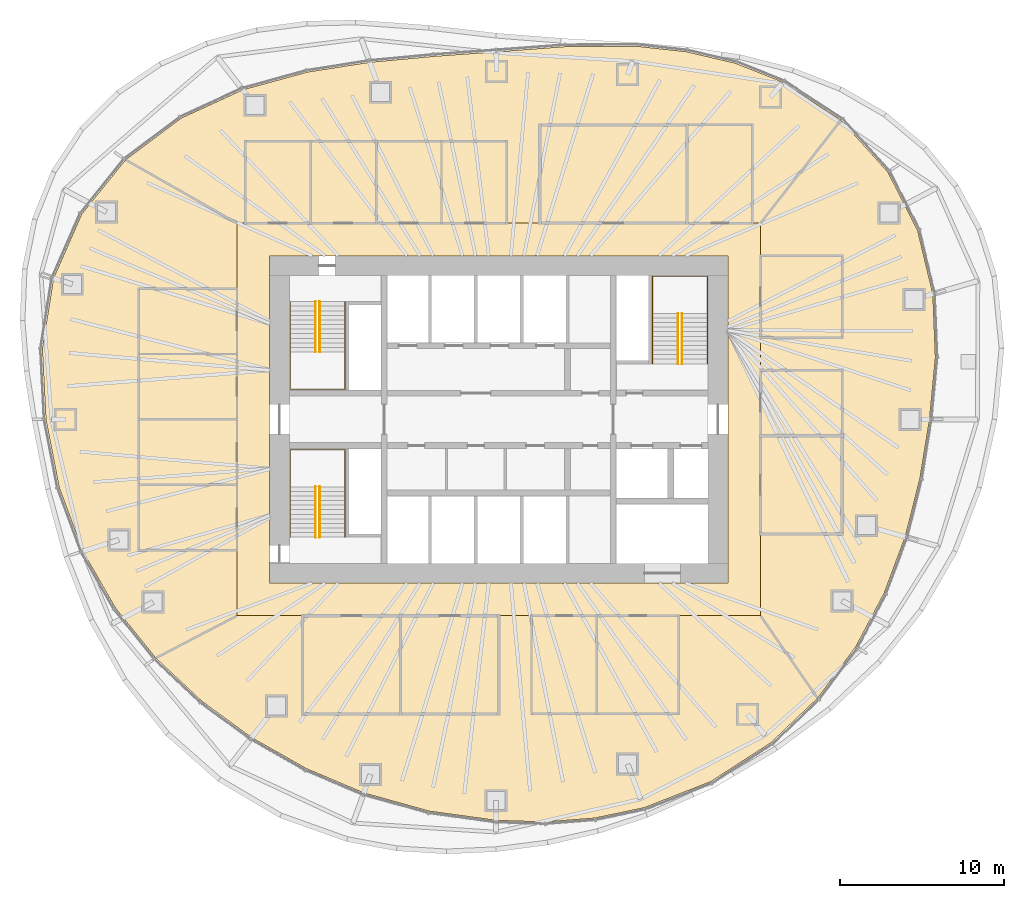
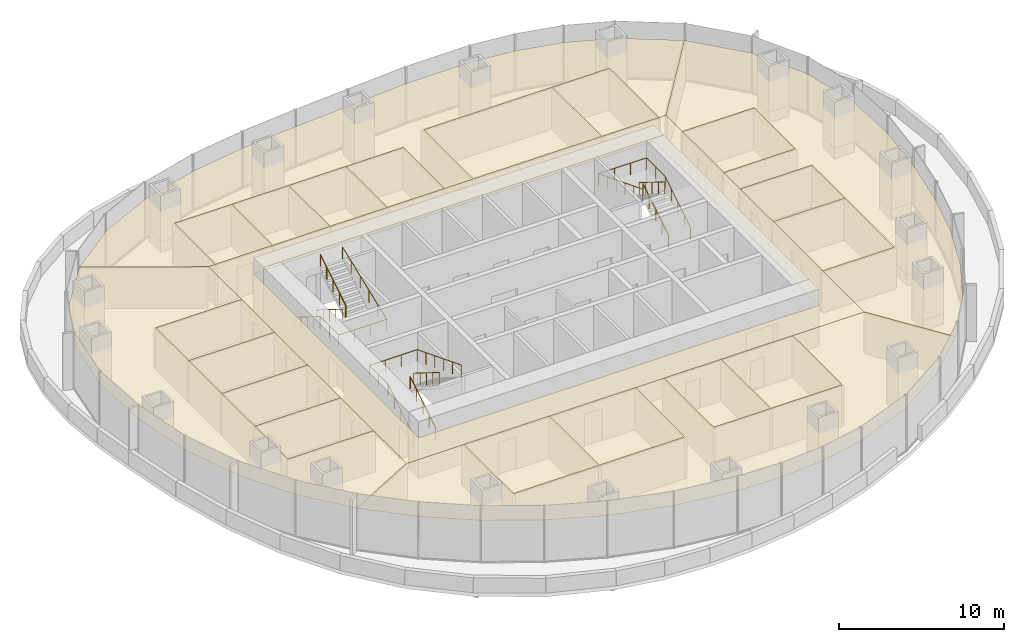
# One storey, part 12 of 12: 22 coverings, 9 railings.
"""IFC4 building model written with IfcOpenShell, lengths in metres."""

from ifc_helpers import new_model, si_unit, direction, frame, origin, origin_2d, place, context, subcontext, project, spatial, polyline, circle, outline, extrude, material, layer, layer_set, type_object, element, save


model = new_model("IFC4")

# Units and contexts
model_context = context("Model", 3, precision=1e-05, world=origin(), true_north=direction((0.0, 1.0)))
body_context = subcontext(model_context, "Body", "Model", "MODEL_VIEW")
ifc_project = project(units=[si_unit("LENGTHUNIT", "METRE"), si_unit("AREAUNIT", "SQUARE_METRE"), si_unit("VOLUMEUNIT", "CUBIC_METRE"), si_unit("PLANEANGLEUNIT", "RADIAN"), si_unit("MASSUNIT", "GRAM", prefix="KILO")], contexts=[model_context])

# Site, building, storey
site_placement = place(None, origin())
site = spatial("IfcSite", under=ifc_project, at=site_placement, CompositionType="ELEMENT")
building_placement = place(site_placement, origin())
building = spatial("IfcBuilding", under=site, at=building_placement, Name="Ghaith Harvest Tower", CompositionType="ELEMENT")
storey_placement = place(building_placement, frame((0.0, 0.0, 194.800048828125)))
storey = spatial("IfcBuildingStorey", under=building, at=storey_placement, Name="L42", CompositionType="ELEMENT", Elevation=194.800048828125)

# Coverings
ifc_material_1 = material(Name="Mineral fibre ceiling tile", Category="gypsum")
ifc_layer = layer(ifc_material_1, 0.02001953125)
ifc_layer_set = layer_set([ifc_layer], Name="CEILING C1")
covering_type = type_object("IfcCoveringType", Name="CEILING C1", PredefinedType="CEILING", material=ifc_layer_set)
covering_1_placement = place(storey_placement, frame((0.0, 0.0, 3.0)))
element("IfcCovering", 1, at=covering_1_placement, inside=storey, type_object=covering_type, Name="Ceiling L42-01", PredefinedType="CEILING", context=body_context, shape_type="SweptSolid", body=[
    extrude(outline(polyline([(-15.5, 12.0), (-11.5, 12.0), (-11.5, 17.0), (-15.5, 17.0), (-15.5, 12.0)])), origin(), (0.0, 0.0, 1.0), 0.02001953125),
])
covering_2_placement = place(storey_placement, frame((0.0, 0.0, 3.0)))
element("IfcCovering", 2, at=covering_2_placement, inside=storey, type_object=covering_type, Name="Ceiling L42-02", PredefinedType="CEILING", context=body_context, shape_type="SweptSolid", body=[
    extrude(outline(polyline([(-11.5, 12.0), (-7.5, 12.0), (-7.5, 17.0), (-11.5, 17.0), (-11.5, 12.0)])), origin(), (0.0, 0.0, 1.0), 0.02001953125),
])
covering_3_placement = place(storey_placement, frame((0.0, 0.0, 3.0)))
element("IfcCovering", 3, at=covering_3_placement, inside=storey, type_object=covering_type, Name="Ceiling L42-03", PredefinedType="CEILING", context=body_context, shape_type="SweptSolid", body=[
    extrude(outline(polyline([(-7.5, 12.0), (-3.5, 12.0), (-3.5, 17.0), (-7.5, 17.0), (-7.5, 12.0)])), origin(), (0.0, 0.0, 1.0), 0.02001953125),
])
covering_4_placement = place(storey_placement, frame((0.0, 0.0, 3.0)))
element("IfcCovering", 4, at=covering_4_placement, inside=storey, type_object=covering_type, Name="Ceiling L42-04", PredefinedType="CEILING", context=body_context, shape_type="SweptSolid", body=[
    extrude(outline(polyline([(-3.5, 12.0), (0.5, 12.0), (0.5, 17.0), (-3.5, 17.0), (-3.5, 12.0)])), origin(), (0.0, 0.0, 1.0), 0.02001953125),
])
covering_5_placement = place(storey_placement, frame((0.0, 0.0, 3.0)))
element("IfcCovering", 5, at=covering_5_placement, inside=storey, type_object=covering_type, Name="Ceiling L42-05", PredefinedType="CEILING", context=body_context, shape_type="SweptSolid", body=[
    extrude(outline(polyline([(2.5, 12.0), (11.5, 12.0), (11.5, 18.0), (2.5, 18.0), (2.5, 12.0)])), origin(), (0.0, 0.0, 1.0), 0.02001953125),
])
covering_6_placement = place(storey_placement, frame((0.0, 0.0, 3.0)))
element("IfcCovering", 6, at=covering_6_placement, inside=storey, type_object=covering_type, Name="Ceiling L42-06", PredefinedType="CEILING", context=body_context, shape_type="SweptSolid", body=[
    extrude(outline(polyline([(11.5, 12.0), (15.5, 12.0), (15.5, 18.0), (11.5, 18.0), (11.5, 12.0)])), origin(), (0.0, 0.0, 1.0), 0.02001953125),
])
covering_7_placement = place(storey_placement, frame((0.0, 0.0, 3.0)))
element("IfcCovering", 7, at=covering_7_placement, inside=storey, type_object=covering_type, Name="Ceiling L42-07", PredefinedType="CEILING", context=body_context, shape_type="SweptSolid", body=[
    extrude(outline(polyline([(-12.0, -18.0), (-6.0, -18.0), (-6.0, -12.0), (-12.0, -12.0), (-12.0, -18.0)])), origin(), (0.0, 0.0, 1.0), 0.02001953125),
])
covering_8_placement = place(storey_placement, frame((0.0, 0.0, 3.0)))
element("IfcCovering", 8, at=covering_8_placement, inside=storey, type_object=covering_type, Name="Ceiling L42-08", PredefinedType="CEILING", context=body_context, shape_type="SweptSolid", body=[
    extrude(outline(polyline([(-6.0, -18.0), (0.0, -18.0), (0.0, -12.0), (-6.0, -12.0), (-6.0, -18.0)])), origin(), (0.0, 0.0, 1.0), 0.02001953125),
])
covering_9_placement = place(storey_placement, frame((0.0, 0.0, 3.0)))
element("IfcCovering", 9, at=covering_9_placement, inside=storey, type_object=covering_type, Name="Ceiling L42-09", PredefinedType="CEILING", context=body_context, shape_type="SweptSolid", body=[
    extrude(outline(polyline([(2.0, -18.0), (6.0, -18.0), (6.0, -12.0), (2.0, -12.0), (2.0, -18.0)])), origin(), (0.0, 0.0, 1.0), 0.02001953125),
])
covering_10_placement = place(storey_placement, frame((0.0, 0.0, 3.0)))
element("IfcCovering", 10, at=covering_10_placement, inside=storey, type_object=covering_type, Name="Ceiling L42-10", PredefinedType="CEILING", context=body_context, shape_type="SweptSolid", body=[
    extrude(outline(polyline([(6.0, -18.0), (11.0, -18.0), (11.0, -12.0), (6.0, -12.0), (6.0, -18.0)])), origin(), (0.0, 0.0, 1.0), 0.02001953125),
])
covering_11_placement = place(storey_placement, frame((0.0, 0.0, 3.0)))
element("IfcCovering", 11, at=covering_11_placement, inside=storey, type_object=covering_type, Name="Ceiling L42-11", PredefinedType="CEILING", context=body_context, shape_type="SweptSolid", body=[
    extrude(outline(polyline([(16.0, -7.0), (21.0, -7.0), (21.0, -1.0), (16.0, -1.0), (16.0, -7.0)])), origin(), (0.0, 0.0, 1.0), 0.02001953125),
])
covering_12_placement = place(storey_placement, frame((0.0, 0.0, 3.0)))
element("IfcCovering", 12, at=covering_12_placement, inside=storey, type_object=covering_type, Name="Ceiling L42-12", PredefinedType="CEILING", context=body_context, shape_type="SweptSolid", body=[
    extrude(outline(polyline([(16.0, -1.0), (21.0, -1.0), (21.0, 3.0), (16.0, 3.0), (16.0, -1.0)])), origin(), (0.0, 0.0, 1.0), 0.02001953125),
])
covering_13_placement = place(storey_placement, frame((0.0, 0.0, 3.0)))
element("IfcCovering", 13, at=covering_13_placement, inside=storey, type_object=covering_type, Name="Ceiling L42-13", PredefinedType="CEILING", context=body_context, shape_type="SweptSolid", body=[
    extrude(outline(polyline([(-22.0, -8.0), (-16.0, -8.0), (-16.0, -4.0), (-22.0, -4.0), (-22.0, -8.0)])), origin(), (0.0, 0.0, 1.0), 0.02001953125),
])
covering_14_placement = place(storey_placement, frame((0.0, 0.0, 3.0)))
element("IfcCovering", 14, at=covering_14_placement, inside=storey, type_object=covering_type, Name="Ceiling L42-14", PredefinedType="CEILING", context=body_context, shape_type="SweptSolid", body=[
    extrude(outline(polyline([(-22.0, -4.0), (-16.0, -4.0), (-16.0, 0.0), (-22.0, 0.0), (-22.0, -4.0)])), origin(), (0.0, 0.0, 1.0), 0.02001953125),
])
covering_15_placement = place(storey_placement, frame((0.0, 0.0, 3.0)))
element("IfcCovering", 15, at=covering_15_placement, inside=storey, type_object=covering_type, Name="Ceiling L42-15", PredefinedType="CEILING", context=body_context, shape_type="SweptSolid", body=[
    extrude(outline(polyline([(-22.0, 0.0), (-16.0, 0.0), (-16.0, 4.0), (-22.0, 4.0), (-22.0, 0.0)])), origin(), (0.0, 0.0, 1.0), 0.02001953125),
])
covering_16_placement = place(storey_placement, frame((0.0, 0.0, 3.0)))
element("IfcCovering", 16, at=covering_16_placement, inside=storey, type_object=covering_type, Name="Ceiling L42-16", PredefinedType="CEILING", context=body_context, shape_type="SweptSolid", body=[
    extrude(outline(polyline([(-22.0, 4.0), (-16.0, 4.0), (-16.0, 8.0), (-22.0, 8.0), (-22.0, 4.0)])), origin(), (0.0, 0.0, 1.0), 0.02001953125),
])
covering_17_placement = place(storey_placement, frame((0.0, 0.0, 3.0)))
element("IfcCovering", 17, at=covering_17_placement, inside=storey, type_object=covering_type, Name="Ceiling L42-17", PredefinedType="CEILING", context=body_context, shape_type="SweptSolid", body=[
    extrude(outline(polyline([(16.0, 5.0), (21.0, 5.0), (21.0, 10.0), (16.0, 10.0), (16.0, 5.0)])), origin(), (0.0, 0.0, 1.0), 0.02001953125),
])
covering_18_placement = place(storey_placement, frame((0.0, 0.0, 3.0)))
element("IfcCovering", 18, at=covering_18_placement, inside=storey, type_object=covering_type, Name="Ceiling L42-C1", PredefinedType="CEILING", context=body_context, shape_type="SweptSolid", body=[
    extrude(outline(polyline([(-16.0, 12.0), (16.0, 12.0), (16.0, -12.0), (-16.0, -12.0), (-16.0, 12.0)]), holes=[polyline([(-14.0, 10.0), (-14.0, -10.0), (14.0, -10.0), (14.0, 10.0), (-14.0, 10.0)])]), origin(), (0.0, 0.0, 1.0), 0.02001953125),
])
covering_19_placement = place(storey_placement, frame((0.0, 0.0, 3.0)))
element("IfcCovering", 19, at=covering_19_placement, inside=storey, type_object=covering_type, Name="Ceiling L42-N1", PredefinedType="CEILING", context=body_context, shape_type="SweptSolid", body=[
    extrude(outline(polyline([(-19.408203125, 18.41650390625), (-15.6474609375, 20.147705078125), (-11.694580078125, 21.2314453125), (-7.8837890625, 21.827880859375), (-3.963134765625, 22.192138671875), (-0.15380859375, 22.470458984375), (4.03857421875, 22.78125), (8.522216796875, 22.796875), (11.47265625, 22.47265625), (14.460693359375, 21.771484375), (17.382080078125, 20.612548828125), (20.923095703125, 18.295166015625), (16.0, 12.0), (15.5, 12.0), (15.5, 18.0), (2.5, 18.0), (2.5, 12.0), (0.5, 12.0), (0.5, 17.0), (-15.5, 17.0), (-15.5, 12.0), (-16.0, 12.0), (-22.809814453125, 15.87109375), (-19.408203125, 18.41650390625)])), origin(), (0.0, 0.0, 1.0), 0.02001953125),
])
covering_20_placement = place(storey_placement, frame((0.0, 0.0, 3.0)))
element("IfcCovering", 20, at=covering_20_placement, inside=storey, type_object=covering_type, Name="Ceiling L42-E1", PredefinedType="CEILING", context=body_context, shape_type="SweptSolid", body=[
    extrude(outline(polyline([(23.77294921875, 15.12939453125), (25.597900390625, 11.55615234375), (26.531005859375, 7.668212890625), (26.685791015625, 3.779052734375), (26.324951171875, 0.0), (25.734375, -3.644287109375), (24.840576171875, -7.179443359375), (23.548828125, -10.631103515625), (21.821533203125, -13.887451171875), (19.48388671875, -17.036865234375), (16.0, -12.0), (16.0, -7.0), (21.0, -7.0), (21.0, 3.0), (16.0, 3.0), (16.0, 5.0), (21.0, 5.0), (21.0, 10.0), (16.0, 10.0), (16.0, 12.0), (20.923095703125, 18.295166015625), (23.77294921875, 15.12939453125)])), origin(), (0.0, 0.0, 1.0), 0.02001953125),
])
covering_21_placement = place(storey_placement, frame((0.0, 0.0, 3.0)))
element("IfcCovering", 21, at=covering_21_placement, inside=storey, type_object=covering_type, Name="Ceiling L42-S1", PredefinedType="CEILING", context=body_context, shape_type="SweptSolid", body=[
    extrude(outline(polyline([(16.651611328125, -19.746337890625), (12.949462890625, -22.1435546875), (8.8740234375, -23.73779296875), (5.865234375, -24.3662109375), (2.833984375, -24.602294921875), (-0.167724609375, -24.505126953125), (-4.27490234375, -23.9375), (-8.2451171875, -22.82861328125), (-11.75732421875, -21.345703125), (-15.10400390625, -19.447998046875), (-18.15087890625, -17.223388671875), (-20.963134765625, -14.586181640625), (-16.0, -12.0), (-12.0, -12.0), (-12.0, -18.0), (0.0, -18.0), (0.0, -12.0), (2.0, -12.0), (2.0, -18.0), (11.0, -18.0), (11.0, -12.0), (16.0, -12.0), (19.48388671875, -17.036865234375), (16.651611328125, -19.746337890625)])), origin(), (0.0, 0.0, 1.0), 0.02001953125),
])
covering_22_placement = place(storey_placement, frame((0.0, 0.0, 3.0)))
element("IfcCovering", 22, at=covering_22_placement, inside=storey, type_object=covering_type, Name="Ceiling L42-W1", PredefinedType="CEILING", context=body_context, shape_type="SweptSolid", body=[
    extrude(outline(polyline([(-26.86669921875, -4.155517578125), (-27.675048828125, 0.0), (-27.897216796875, 4.314697265625), (-27.211181640625, 8.623779296875), (-25.491943359375, 12.547607421875), (-22.809814453125, 15.87109375), (-16.0, 12.0), (-16.0, 8.0), (-22.0, 8.0), (-22.0, -8.0), (-16.0, -8.0), (-16.0, -12.0), (-20.963134765625, -14.586181640625), (-23.425537109375, -11.530517578125), (-25.424072265625, -8.057373046875), (-26.86669921875, -4.155517578125)])), origin(), (0.0, 0.0, 1.0), 0.02001953125),
])

# Railings
ifc_material_2 = material(Name="Steel, black powder-coated", Category="steel")
railing_type = type_object("IfcRailingType", Name="HANDRAIL HR1", PredefinedType="HANDRAIL", material=ifc_material_2)
railing_1_placement = place(storey_placement, frame((-11.199951171875, 7.199951171875, 0.175048828125)))
element("IfcRailing", 23, at=railing_1_placement, inside=storey, type_object=railing_type, Name="Handrail HR1 stair ST1 L42 flight 1 inner", PredefinedType="HANDRAIL", context=body_context, shape_type="SweptSolid", body=[
    extrude(circle(Radius=0.02392578125, at=origin_2d()), frame((0.0, 0.0, 0.8759765625), z_axis=(0.0, -0.848009633417, 0.529980812513), x_axis=(1.0, 0.0, 0.0)), (0.0, 0.0, 1.0), 3.6318359375),
    extrude(circle(Radius=0.02099609375, at=origin_2d()), origin(), (0.0, 0.0, 1.0), 0.851806640625),
    extrude(circle(Radius=0.02099609375, at=origin_2d()), frame((0.0, -0.77001953125, 0.481201171875)), (0.0, 0.0, 1.0), 0.851806640625),
    extrude(circle(Radius=0.02099609375, at=origin_2d()), frame((0.0, -1.5400390625, 0.96240234375)), (0.0, 0.0, 1.0), 0.851806640625),
    extrude(circle(Radius=0.02099609375, at=origin_2d()), frame((0.0, -2.309814453125, 1.443603515625)), (0.0, 0.0, 1.0), 0.851806640625),
    extrude(circle(Radius=0.02099609375, at=origin_2d()), frame((0.0, -3.079833984375, 1.9248046875)), (0.0, 0.0, 1.0), 0.851806640625),
])
railing_2_placement = place(storey_placement, frame((-10.949951171875, 4.1201171875, 2.27490234375)))
element("IfcRailing", 24, at=railing_2_placement, inside=storey, type_object=railing_type, Name="Handrail HR1 stair ST1 L42 flight 2 inner", PredefinedType="HANDRAIL", context=body_context, shape_type="SweptSolid", body=[
    extrude(circle(Radius=0.02392578125, at=origin_2d()), frame((0.0, 0.0, 0.8759765625), z_axis=(0.0, 0.847979421464, 0.530029150871), x_axis=(-1.0, 0.0, 0.0)), (0.0, 0.0, 1.0), 3.632080078125),
    extrude(circle(Radius=0.02099609375, at=origin_2d()), origin(), (0.0, 0.0, 1.0), 0.851806640625),
    extrude(circle(Radius=0.02099609375, at=origin_2d()), frame((0.0, 0.77001953125, 0.481201171875)), (0.0, 0.0, 1.0), 0.851806640625),
    extrude(circle(Radius=0.02099609375, at=origin_2d()), frame((0.0, 1.5400390625, 0.96240234375)), (0.0, 0.0, 1.0), 0.851806640625),
    extrude(circle(Radius=0.02099609375, at=origin_2d()), frame((0.0, 2.309814453125, 1.44384765625)), (0.0, 0.0, 1.0), 0.851806640625),
    extrude(circle(Radius=0.02099609375, at=origin_2d()), frame((0.0, 3.079833984375, 1.925048828125)), (0.0, 0.0, 1.0), 0.851806640625),
])
railing_3_placement = place(storey_placement, frame((-12.75, 7.199951171875, 0.175048828125)))
element("IfcRailing", 25, at=railing_3_placement, inside=storey, type_object=railing_type, Name="Handrail HR1 stair ST1 L42 wall side", PredefinedType="HANDRAIL", context=body_context, shape_type="SweptSolid", body=[
    extrude(circle(Radius=0.02392578125, at=origin_2d()), frame((0.0, 0.0, 0.8759765625), z_axis=(0.0, -0.848009633417, 0.529980812513), x_axis=(1.0, 0.0, 0.0)), (0.0, 0.0, 1.0), 3.6318359375),
    extrude(circle(Radius=0.02392578125, at=origin_2d()), frame((0.0, -3.079833984375, 2.80078125), z_axis=(0.0, -1.0, 0.0), x_axis=(1.0, 0.0, 0.0)), (0.0, 0.0, 1.0), 2.27001953125),
    extrude(circle(Radius=0.02392578125, at=origin_2d()), frame((0.0, -5.349853515625, 2.80078125), z_axis=(1.0, 0.0, 0.0), x_axis=(0.0, 1.0, 0.0)), (0.0, 0.0, 1.0), 3.35009765625),
    extrude(circle(Radius=0.02392578125, at=origin_2d()), frame((3.35009765625, -5.349853515625, 2.80078125), z_axis=(0.0, 0.930848013298, 0.36540659017), x_axis=(-1.0, 0.0, 0.0)), (0.0, 0.0, 1.0), 5.747314453125),
    extrude(circle(Radius=0.02099609375, at=origin_2d()), origin(), (0.0, 0.0, 1.0), 0.851806640625),
    extrude(circle(Radius=0.02099609375, at=origin_2d()), frame((0.0, -0.77001953125, 0.481201171875)), (0.0, 0.0, 1.0), 0.851806640625),
    extrude(circle(Radius=0.02099609375, at=origin_2d()), frame((0.0, -1.5400390625, 0.96240234375)), (0.0, 0.0, 1.0), 0.851806640625),
    extrude(circle(Radius=0.02099609375, at=origin_2d()), frame((0.0, -2.309814453125, 1.443603515625)), (0.0, 0.0, 1.0), 0.851806640625),
    extrude(circle(Radius=0.02099609375, at=origin_2d()), frame((0.0, -3.079833984375, 1.9248046875)), (0.0, 0.0, 1.0), 0.851806640625),
    extrude(circle(Radius=0.02099609375, at=origin_2d()), frame((0.0, -4.21484375, 1.9248046875)), (0.0, 0.0, 1.0), 0.851806640625),
    extrude(circle(Radius=0.02099609375, at=origin_2d()), frame((0.0, -5.349853515625, 1.9248046875)), (0.0, 0.0, 1.0), 0.851806640625),
    extrude(circle(Radius=0.02099609375, at=origin_2d()), frame((1.11669921875, -5.349853515625, 1.9248046875)), (0.0, 0.0, 1.0), 0.851806640625),
    extrude(circle(Radius=0.02099609375, at=origin_2d()), frame((2.2333984375, -5.349853515625, 1.9248046875)), (0.0, 0.0, 1.0), 0.851806640625),
    extrude(circle(Radius=0.02099609375, at=origin_2d()), frame((3.35009765625, -5.349853515625, 1.9248046875)), (0.0, 0.0, 1.0), 0.851806640625),
    extrude(circle(Radius=0.02099609375, at=origin_2d()), frame((3.35009765625, -4.27978515625, 2.3447265625)), (0.0, 0.0, 1.0), 0.851806640625),
    extrude(circle(Radius=0.02099609375, at=origin_2d()), frame((3.35009765625, -3.2099609375, 2.764892578125)), (0.0, 0.0, 1.0), 0.851806640625),
    extrude(circle(Radius=0.02099609375, at=origin_2d()), frame((3.35009765625, -2.139892578125, 3.184814453125)), (0.0, 0.0, 1.0), 0.851806640625),
    extrude(circle(Radius=0.02099609375, at=origin_2d()), frame((3.35009765625, -1.070068359375, 3.60498046875)), (0.0, 0.0, 1.0), 0.851806640625),
    extrude(circle(Radius=0.02099609375, at=origin_2d()), frame((3.35009765625, 0.0, 4.02490234375)), (0.0, 0.0, 1.0), 0.851806640625),
])
railing_4_placement = place(storey_placement, frame((-11.199951171875, -7.199951171875, 0.175048828125)))
element("IfcRailing", 26, at=railing_4_placement, inside=storey, type_object=railing_type, Name="Handrail HR1 stair ST3 L42 flight 1 inner", PredefinedType="HANDRAIL", context=body_context, shape_type="SweptSolid", body=[
    extrude(circle(Radius=0.02392578125, at=origin_2d()), frame((0.0, 0.0, 0.8759765625), z_axis=(0.0, 0.848009633417, 0.529980812513), x_axis=(-1.0, 0.0, 0.0)), (0.0, 0.0, 1.0), 3.6318359375),
    extrude(circle(Radius=0.02099609375, at=origin_2d()), origin(), (0.0, 0.0, 1.0), 0.851806640625),
    extrude(circle(Radius=0.02099609375, at=origin_2d()), frame((0.0, 0.77001953125, 0.481201171875)), (0.0, 0.0, 1.0), 0.851806640625),
    extrude(circle(Radius=0.02099609375, at=origin_2d()), frame((0.0, 1.5400390625, 0.96240234375)), (0.0, 0.0, 1.0), 0.851806640625),
    extrude(circle(Radius=0.02099609375, at=origin_2d()), frame((0.0, 2.309814453125, 1.443603515625)), (0.0, 0.0, 1.0), 0.851806640625),
    extrude(circle(Radius=0.02099609375, at=origin_2d()), frame((0.0, 3.079833984375, 1.9248046875)), (0.0, 0.0, 1.0), 0.851806640625),
])
railing_5_placement = place(storey_placement, frame((-10.949951171875, -4.1201171875, 2.27490234375)))
element("IfcRailing", 27, at=railing_5_placement, inside=storey, type_object=railing_type, Name="Handrail HR1 stair ST3 L42 flight 2 inner", PredefinedType="HANDRAIL", context=body_context, shape_type="SweptSolid", body=[
    extrude(circle(Radius=0.02392578125, at=origin_2d()), frame((0.0, 0.0, 0.8759765625), z_axis=(0.0, -0.847979421464, 0.530029150871), x_axis=(1.0, 0.0, 0.0)), (0.0, 0.0, 1.0), 3.632080078125),
    extrude(circle(Radius=0.02099609375, at=origin_2d()), origin(), (0.0, 0.0, 1.0), 0.851806640625),
    extrude(circle(Radius=0.02099609375, at=origin_2d()), frame((0.0, -0.77001953125, 0.481201171875)), (0.0, 0.0, 1.0), 0.851806640625),
    extrude(circle(Radius=0.02099609375, at=origin_2d()), frame((0.0, -1.5400390625, 0.96240234375)), (0.0, 0.0, 1.0), 0.851806640625),
    extrude(circle(Radius=0.02099609375, at=origin_2d()), frame((0.0, -2.309814453125, 1.44384765625)), (0.0, 0.0, 1.0), 0.851806640625),
    extrude(circle(Radius=0.02099609375, at=origin_2d()), frame((0.0, -3.079833984375, 1.925048828125)), (0.0, 0.0, 1.0), 0.851806640625),
])
railing_6_placement = place(storey_placement, frame((-12.75, -7.199951171875, 0.175048828125)))
element("IfcRailing", 28, at=railing_6_placement, inside=storey, type_object=railing_type, Name="Handrail HR1 stair ST3 L42 wall side", PredefinedType="HANDRAIL", context=body_context, shape_type="SweptSolid", body=[
    extrude(circle(Radius=0.02392578125, at=origin_2d()), frame((0.0, 0.0, 0.8759765625), z_axis=(0.0, 0.848009633417, 0.529980812513), x_axis=(-1.0, 0.0, 0.0)), (0.0, 0.0, 1.0), 3.6318359375),
    extrude(circle(Radius=0.02392578125, at=origin_2d()), frame((0.0, 3.079833984375, 2.80078125), z_axis=(0.0, 1.0, 0.0), x_axis=(-1.0, 0.0, 0.0)), (0.0, 0.0, 1.0), 2.27001953125),
    extrude(circle(Radius=0.02392578125, at=origin_2d()), frame((0.0, 5.349853515625, 2.80078125), z_axis=(1.0, 0.0, 0.0), x_axis=(0.0, 1.0, 0.0)), (0.0, 0.0, 1.0), 3.35009765625),
    extrude(circle(Radius=0.02392578125, at=origin_2d()), frame((3.35009765625, 5.349853515625, 2.80078125), z_axis=(0.0, -0.930848013298, 0.36540659017), x_axis=(1.0, 0.0, 0.0)), (0.0, 0.0, 1.0), 5.747314453125),
    extrude(circle(Radius=0.02099609375, at=origin_2d()), origin(), (0.0, 0.0, 1.0), 0.851806640625),
    extrude(circle(Radius=0.02099609375, at=origin_2d()), frame((0.0, 0.77001953125, 0.481201171875)), (0.0, 0.0, 1.0), 0.851806640625),
    extrude(circle(Radius=0.02099609375, at=origin_2d()), frame((0.0, 1.5400390625, 0.96240234375)), (0.0, 0.0, 1.0), 0.851806640625),
    extrude(circle(Radius=0.02099609375, at=origin_2d()), frame((0.0, 2.309814453125, 1.443603515625)), (0.0, 0.0, 1.0), 0.851806640625),
    extrude(circle(Radius=0.02099609375, at=origin_2d()), frame((0.0, 3.079833984375, 1.9248046875)), (0.0, 0.0, 1.0), 0.851806640625),
    extrude(circle(Radius=0.02099609375, at=origin_2d()), frame((0.0, 4.21484375, 1.9248046875)), (0.0, 0.0, 1.0), 0.851806640625),
    extrude(circle(Radius=0.02099609375, at=origin_2d()), frame((0.0, 5.349853515625, 1.9248046875)), (0.0, 0.0, 1.0), 0.851806640625),
    extrude(circle(Radius=0.02099609375, at=origin_2d()), frame((1.11669921875, 5.349853515625, 1.9248046875)), (0.0, 0.0, 1.0), 0.851806640625),
    extrude(circle(Radius=0.02099609375, at=origin_2d()), frame((2.2333984375, 5.349853515625, 1.9248046875)), (0.0, 0.0, 1.0), 0.851806640625),
    extrude(circle(Radius=0.02099609375, at=origin_2d()), frame((3.35009765625, 5.349853515625, 1.9248046875)), (0.0, 0.0, 1.0), 0.851806640625),
    extrude(circle(Radius=0.02099609375, at=origin_2d()), frame((3.35009765625, 4.27978515625, 2.3447265625)), (0.0, 0.0, 1.0), 0.851806640625),
    extrude(circle(Radius=0.02099609375, at=origin_2d()), frame((3.35009765625, 3.2099609375, 2.764892578125)), (0.0, 0.0, 1.0), 0.851806640625),
    extrude(circle(Radius=0.02099609375, at=origin_2d()), frame((3.35009765625, 2.139892578125, 3.184814453125)), (0.0, 0.0, 1.0), 0.851806640625),
    extrude(circle(Radius=0.02099609375, at=origin_2d()), frame((3.35009765625, 1.070068359375, 3.60498046875)), (0.0, 0.0, 1.0), 0.851806640625),
    extrude(circle(Radius=0.02099609375, at=origin_2d()), frame((3.35009765625, 0.0, 4.02490234375)), (0.0, 0.0, 1.0), 0.851806640625),
])
railing_7_placement = place(storey_placement, frame((11.199951171875, 3.39990234375, 0.175048828125)))
element("IfcRailing", 29, at=railing_7_placement, inside=storey, type_object=railing_type, Name="Handrail HR1 stair ST2 L42 flight 1 inner", PredefinedType="HANDRAIL", context=body_context, shape_type="SweptSolid", body=[
    extrude(circle(Radius=0.02392578125, at=origin_2d()), frame((0.0, 0.0, 0.8759765625), z_axis=(0.0, 0.848028513186, 0.529950602248), x_axis=(-1.0, 0.0, 0.0)), (0.0, 0.0, 1.0), 3.632080078125),
    extrude(circle(Radius=0.02099609375, at=origin_2d()), origin(), (0.0, 0.0, 1.0), 0.851806640625),
    extrude(circle(Radius=0.02099609375, at=origin_2d()), frame((0.0, 0.77001953125, 0.481201171875)), (0.0, 0.0, 1.0), 0.851806640625),
    extrude(circle(Radius=0.02099609375, at=origin_2d()), frame((0.0, 1.5400390625, 0.96240234375)), (0.0, 0.0, 1.0), 0.851806640625),
    extrude(circle(Radius=0.02099609375, at=origin_2d()), frame((0.0, 2.31005859375, 1.443603515625)), (0.0, 0.0, 1.0), 0.851806640625),
    extrude(circle(Radius=0.02099609375, at=origin_2d()), frame((0.0, 3.080078125, 1.9248046875)), (0.0, 0.0, 1.0), 0.851806640625),
])
railing_8_placement = place(storey_placement, frame((10.949951171875, 6.47998046875, 2.27490234375)))
element("IfcRailing", 30, at=railing_8_placement, inside=storey, type_object=railing_type, Name="Handrail HR1 stair ST2 L42 flight 2 inner", PredefinedType="HANDRAIL", context=body_context, shape_type="SweptSolid", body=[
    extrude(circle(Radius=0.02392578125, at=origin_2d()), frame((0.0, 0.0, 0.8759765625), z_axis=(0.0, -0.847998304005, 0.529998940003), x_axis=(1.0, 0.0, 0.0)), (0.0, 0.0, 1.0), 3.632080078125),
    extrude(circle(Radius=0.02099609375, at=origin_2d()), origin(), (0.0, 0.0, 1.0), 0.851806640625),
    extrude(circle(Radius=0.02099609375, at=origin_2d()), frame((0.0, -0.77001953125, 0.481201171875)), (0.0, 0.0, 1.0), 0.851806640625),
    extrude(circle(Radius=0.02099609375, at=origin_2d()), frame((0.0, -1.5400390625, 0.96240234375)), (0.0, 0.0, 1.0), 0.851806640625),
    extrude(circle(Radius=0.02099609375, at=origin_2d()), frame((0.0, -2.31005859375, 1.44384765625)), (0.0, 0.0, 1.0), 0.851806640625),
    extrude(circle(Radius=0.02099609375, at=origin_2d()), frame((0.0, -3.080078125, 1.925048828125)), (0.0, 0.0, 1.0), 0.851806640625),
])
railing_9_placement = place(storey_placement, frame((12.75, 3.39990234375, 0.175048828125)))
element("IfcRailing", 31, at=railing_9_placement, inside=storey, type_object=railing_type, Name="Handrail HR1 stair ST2 L42 wall side", PredefinedType="HANDRAIL", context=body_context, shape_type="SweptSolid", body=[
    extrude(circle(Radius=0.02392578125, at=origin_2d()), frame((0.0, 0.0, 0.8759765625), z_axis=(0.0, 0.848028513186, 0.529950602248), x_axis=(-1.0, 0.0, 0.0)), (0.0, 0.0, 1.0), 3.632080078125),
    extrude(circle(Radius=0.02392578125, at=origin_2d()), frame((0.0, 3.080078125, 2.80078125), z_axis=(0.0, 1.0, 0.0), x_axis=(-1.0, 0.0, 0.0)), (0.0, 0.0, 1.0), 2.27001953125),
    extrude(circle(Radius=0.02392578125, at=origin_2d()), frame((0.0, 5.35009765625, 2.80078125), z_axis=(-1.0, 0.0, 0.0), x_axis=(0.0, -1.0, 0.0)), (0.0, 0.0, 1.0), 3.35009765625),
    extrude(circle(Radius=0.02392578125, at=origin_2d()), frame((-3.35009765625, 5.35009765625, 2.80078125), z_axis=(0.0, -0.930853684876, 0.365392141887), x_axis=(1.0, 0.0, 0.0)), (0.0, 0.0, 1.0), 5.74755859375),
    extrude(circle(Radius=0.02099609375, at=origin_2d()), origin(), (0.0, 0.0, 1.0), 0.851806640625),
    extrude(circle(Radius=0.02099609375, at=origin_2d()), frame((0.0, 0.77001953125, 0.481201171875)), (0.0, 0.0, 1.0), 0.851806640625),
    extrude(circle(Radius=0.02099609375, at=origin_2d()), frame((0.0, 1.5400390625, 0.96240234375)), (0.0, 0.0, 1.0), 0.851806640625),
    extrude(circle(Radius=0.02099609375, at=origin_2d()), frame((0.0, 2.31005859375, 1.443603515625)), (0.0, 0.0, 1.0), 0.851806640625),
    extrude(circle(Radius=0.02099609375, at=origin_2d()), frame((0.0, 3.080078125, 1.9248046875)), (0.0, 0.0, 1.0), 0.851806640625),
    extrude(circle(Radius=0.02099609375, at=origin_2d()), frame((0.0, 4.215087890625, 1.9248046875)), (0.0, 0.0, 1.0), 0.851806640625),
    extrude(circle(Radius=0.02099609375, at=origin_2d()), frame((0.0, 5.35009765625, 1.9248046875)), (0.0, 0.0, 1.0), 0.851806640625),
    extrude(circle(Radius=0.02099609375, at=origin_2d()), frame((-1.11669921875, 5.35009765625, 1.9248046875)), (0.0, 0.0, 1.0), 0.851806640625),
    extrude(circle(Radius=0.02099609375, at=origin_2d()), frame((-2.2333984375, 5.35009765625, 1.9248046875)), (0.0, 0.0, 1.0), 0.851806640625),
    extrude(circle(Radius=0.02099609375, at=origin_2d()), frame((-3.35009765625, 5.35009765625, 1.9248046875)), (0.0, 0.0, 1.0), 0.851806640625),
    extrude(circle(Radius=0.02099609375, at=origin_2d()), frame((-3.35009765625, 4.280029296875, 2.3447265625)), (0.0, 0.0, 1.0), 0.851806640625),
    extrude(circle(Radius=0.02099609375, at=origin_2d()), frame((-3.35009765625, 3.2099609375, 2.764892578125)), (0.0, 0.0, 1.0), 0.851806640625),
    extrude(circle(Radius=0.02099609375, at=origin_2d()), frame((-3.35009765625, 2.14013671875, 3.184814453125)), (0.0, 0.0, 1.0), 0.851806640625),
    extrude(circle(Radius=0.02099609375, at=origin_2d()), frame((-3.35009765625, 1.070068359375, 3.60498046875)), (0.0, 0.0, 1.0), 0.851806640625),
    extrude(circle(Radius=0.02099609375, at=origin_2d()), frame((-3.35009765625, 0.0, 4.02490234375)), (0.0, 0.0, 1.0), 0.851806640625),
])

save(model, "model.ifc")
